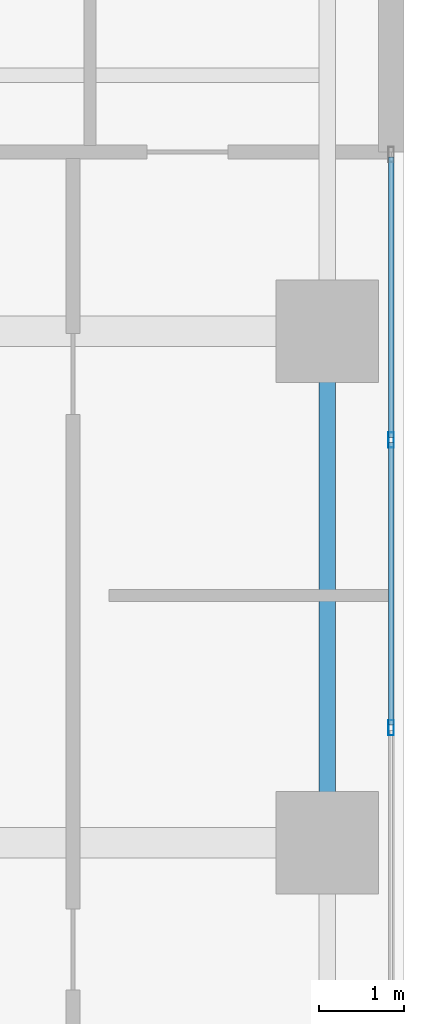
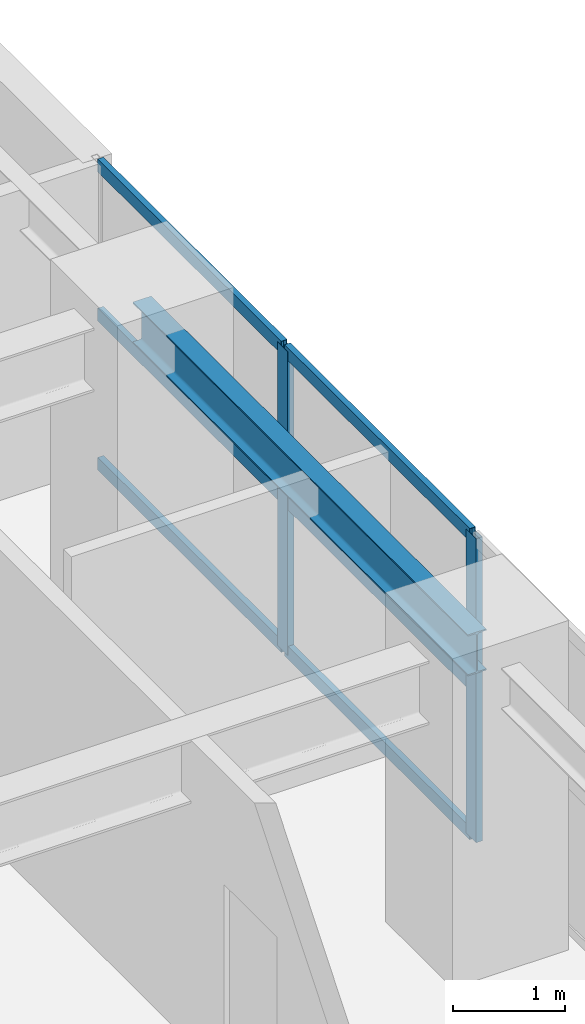
# One storey, part 11 of 24: 8 members, 1 beam, 1 element without a shape of its own.
"""IFC4 building model written with IfcOpenShell, lengths in metres."""

from ifc_helpers import new_model, si_unit, direction, frame, origin, origin_2d, place, context, subcontext, project, spatial, hollow_rectangle, i_section, extrude, source, transform, mapped, material, layer, layer_set, material_profile, profile_set, type_object, element, aggregate, save


model = new_model("IFC4")

# Units and contexts
model_context = context("Model", 3, precision=1e-05, world=origin(), true_north=direction((0.0, 1.0)))
body_context = subcontext(model_context, "Body", "Model", "MODEL_VIEW")
ifc_project = project(units=[si_unit("LENGTHUNIT", "METRE"), si_unit("AREAUNIT", "SQUARE_METRE"), si_unit("VOLUMEUNIT", "CUBIC_METRE"), si_unit("PLANEANGLEUNIT", "RADIAN"), si_unit("MASSUNIT", "GRAM", prefix="KILO")], contexts=[model_context])

# Site, building, storey
site_placement = place(None, origin())
site = spatial("IfcSite", under=ifc_project, at=site_placement, CompositionType="ELEMENT")
building_placement = place(site_placement, origin())
building = spatial("IfcBuilding", under=site, at=building_placement, Name="Khoralis Quay Care Tower", CompositionType="ELEMENT")
storey_placement = place(building_placement, frame((0.0, 0.0, 54.89990234375)))
storey = spatial("IfcBuildingStorey", under=building, at=storey_placement, Name="L14", CompositionType="ELEMENT", Elevation=54.89990234375)

# Beam
ifc_material_1 = material(Name="Steel S355", Category="steel")
ifc_material_profile_1 = material_profile(ifc_material_1, i_section(OverallWidth=0.18994140625, OverallDepth=0.449951171875, WebThickness=0.009521484375, FlangeThickness=0.0146484375, FilletRadius=0.02099609375, at=origin_2d()), Name="Steel S355")
ifc_profile_set_1 = profile_set([ifc_material_profile_1], Name="Steel S355")
beam_type = type_object("IfcBeamType", Name="BM-IPE450", PredefinedType="SPANDREL", material=ifc_profile_set_1)
shared_shape_1 = source(origin(), body_context, "Body", "SweptSolid", [
    extrude(i_section(OverallWidth=0.18994140625, OverallDepth=0.449951171875, WebThickness=0.009521484375, FlangeThickness=0.0146484375, FilletRadius=0.02099609375, at=origin_2d()), origin(), (0.0, 0.0, 1.0), 6.0),
])
beam_placement = place(storey_placement, frame((47.10009765625, 24.0, 3.09521484375), z_axis=(0.0, 1.0, 0.0), x_axis=(-1.0, 0.0, 0.0)))
element("IfcBeam", 1, at=beam_placement, inside=storey, type_object=beam_type, Name="BM-TSP-L14-22", PredefinedType="SPANDREL", context=body_context, shape_type="MappedRepresentation", body=[
    mapped(shared_shape_1, transform((0.0, 0.0, 0.0), scale=1.0)),
])

# Curtain wall, members
ifc_material_2 = material(Name="Pale anodised aluminium", Category="aluminium")
ifc_layer = layer(ifc_material_2, 0.179931640625)
ifc_layer_set = layer_set([ifc_layer], Name="Pale anodised aluminium")
curtain_wall_type = type_object("IfcCurtainWallType", Name="CW-SYS-Z1", PredefinedType="NOTDEFINED", material=ifc_layer_set)
curtain_wall_placement = place(storey_placement, origin())
curtain_wall = element("IfcCurtainWall", 2, at=curtain_wall_placement, inside=storey, type_object=curtain_wall_type, Name="L14 Unitised Curtain Wall CW-L14-P1-E5", PredefinedType="NOTDEFINED")
ifc_material_profile_2 = material_profile(ifc_material_2, hollow_rectangle(XDim=0.06494140625, YDim=0.179931640625, WallThickness=0.00390625, at=origin_2d()), Name="Pale anodised aluminium")
ifc_profile_set_2 = profile_set([ifc_material_profile_2], Name="Pale anodised aluminium")
member_type_1 = type_object("IfcMemberType", Name="CW-MUL-180", PredefinedType="MULLION", material=ifc_profile_set_2)
shared_shape_2 = source(origin(), body_context, "Body", "SweptSolid", [
    extrude(hollow_rectangle(XDim=0.06494140625, YDim=0.179931640625, WallThickness=0.00390625, at=origin_2d()), origin(), (0.0, 0.0, 1.0), 3.320068359375),
])
member_1_placement = place(storey_placement, frame((47.85009765625, 25.35009765625, 0.0), z_axis=(0.0, 0.0, 1.0), x_axis=(-1.0, 0.0, 0.0)))
member_1 = element("IfcMember", 3, at=member_1_placement, type_object=member_type_1, Name="CW1 mullion 3", PredefinedType="MULLION", context=body_context, shape_type="MappedRepresentation", body=[
    mapped(shared_shape_2, transform((0.0, 0.0, 0.0), scale=1.0)),
])
member_2_placement = place(storey_placement, frame((47.85009765625, 28.72509765625, 0.0), z_axis=(0.0, 0.0, 1.0), x_axis=(-1.0, 0.0, 0.0)))
member_2 = element("IfcMember", 4, at=member_2_placement, type_object=member_type_1, Name="CW1 mullion 4", PredefinedType="MULLION", context=body_context, shape_type="MappedRepresentation", body=[
    mapped(shared_shape_2, transform((0.0, 0.0, 0.0), scale=1.0)),
])
ifc_material_profile_3 = material_profile(ifc_material_2, hollow_rectangle(XDim=0.06005859375, YDim=0.139892578125, WallThickness=0.00390625, at=origin_2d()), Name="Pale anodised aluminium")
ifc_profile_set_3 = profile_set([ifc_material_profile_3], Name="Pale anodised aluminium")
member_type_2 = type_object("IfcMemberType", Name="CW-TRN-140", PredefinedType="USERDEFINED", material=ifc_profile_set_3)
shared_shape_3 = source(origin(), body_context, "Body", "SweptSolid", [
    extrude(hollow_rectangle(XDim=0.06005859375, YDim=0.139892578125, WallThickness=0.00390625, at=origin_2d()), origin(), (0.0, 0.0, 1.0), 3.28515625),
])
member_3_placement = place(storey_placement, frame((47.85009765625, 28.7548828125, 0.030029296875), z_axis=(0.0, 1.0, 0.0), x_axis=(-1.0, 0.0, 0.0)))
member_3 = element("IfcMember", 5, at=member_3_placement, type_object=member_type_2, Name="CW1 transom 4.1", ObjectType="TRANSOM", PredefinedType="USERDEFINED", context=body_context, shape_type="MappedRepresentation", body=[
    mapped(shared_shape_3, transform((0.0, 0.0, 0.0), scale=1.0)),
])
member_4_placement = place(storey_placement, frame((47.85009765625, 28.7548828125, 1.66015625), z_axis=(0.0, 1.0, 0.0), x_axis=(-1.0, 0.0, 0.0)))
member_4 = element("IfcMember", 6, at=member_4_placement, type_object=member_type_2, Name="CW1 transom 4.2", ObjectType="TRANSOM", PredefinedType="USERDEFINED", context=body_context, shape_type="MappedRepresentation", body=[
    mapped(shared_shape_3, transform((0.0, 0.0, 0.0), scale=1.0)),
])
member_5_placement = place(storey_placement, frame((47.85009765625, 28.7548828125, 3.2900390625), z_axis=(0.0, 1.0, 0.0), x_axis=(-1.0, 0.0, 0.0)))
member_5 = element("IfcMember", 7, at=member_5_placement, type_object=member_type_2, Name="CW1 transom 4.3", ObjectType="TRANSOM", PredefinedType="USERDEFINED", context=body_context, shape_type="MappedRepresentation", body=[
    mapped(shared_shape_3, transform((0.0, 0.0, 0.0), scale=1.0)),
])
shared_shape_4 = source(origin(), body_context, "Body", "SweptSolid", [
    extrude(hollow_rectangle(XDim=0.06005859375, YDim=0.139892578125, WallThickness=0.00390625, at=origin_2d()), origin(), (0.0, 0.0, 1.0), 3.315185546875),
])
member_6_placement = place(storey_placement, frame((47.85009765625, 25.3798828125, 0.030029296875), z_axis=(0.0, 1.0, 0.0), x_axis=(-1.0, 0.0, 0.0)))
member_6 = element("IfcMember", 8, at=member_6_placement, type_object=member_type_2, Name="CW1 transom 3.1", ObjectType="TRANSOM", PredefinedType="USERDEFINED", context=body_context, shape_type="MappedRepresentation", body=[
    mapped(shared_shape_4, transform((0.0, 0.0, 0.0), scale=1.0)),
])
member_7_placement = place(storey_placement, frame((47.85009765625, 25.3798828125, 1.66015625), z_axis=(0.0, 1.0, 0.0), x_axis=(-1.0, 0.0, 0.0)))
member_7 = element("IfcMember", 9, at=member_7_placement, type_object=member_type_2, Name="CW1 transom 3.2", ObjectType="TRANSOM", PredefinedType="USERDEFINED", context=body_context, shape_type="MappedRepresentation", body=[
    mapped(shared_shape_4, transform((0.0, 0.0, 0.0), scale=1.0)),
])
member_8_placement = place(storey_placement, frame((47.85009765625, 25.3798828125, 3.2900390625), z_axis=(0.0, 1.0, 0.0), x_axis=(-1.0, 0.0, 0.0)))
member_8 = element("IfcMember", 10, at=member_8_placement, type_object=member_type_2, Name="CW1 transom 3.3", ObjectType="TRANSOM", PredefinedType="USERDEFINED", context=body_context, shape_type="MappedRepresentation", body=[
    mapped(shared_shape_4, transform((0.0, 0.0, 0.0), scale=1.0)),
])
aggregate(curtain_wall, [member_1, member_2, member_6, member_7, member_8, member_3, member_4, member_5])

save(model, "model.ifc")
